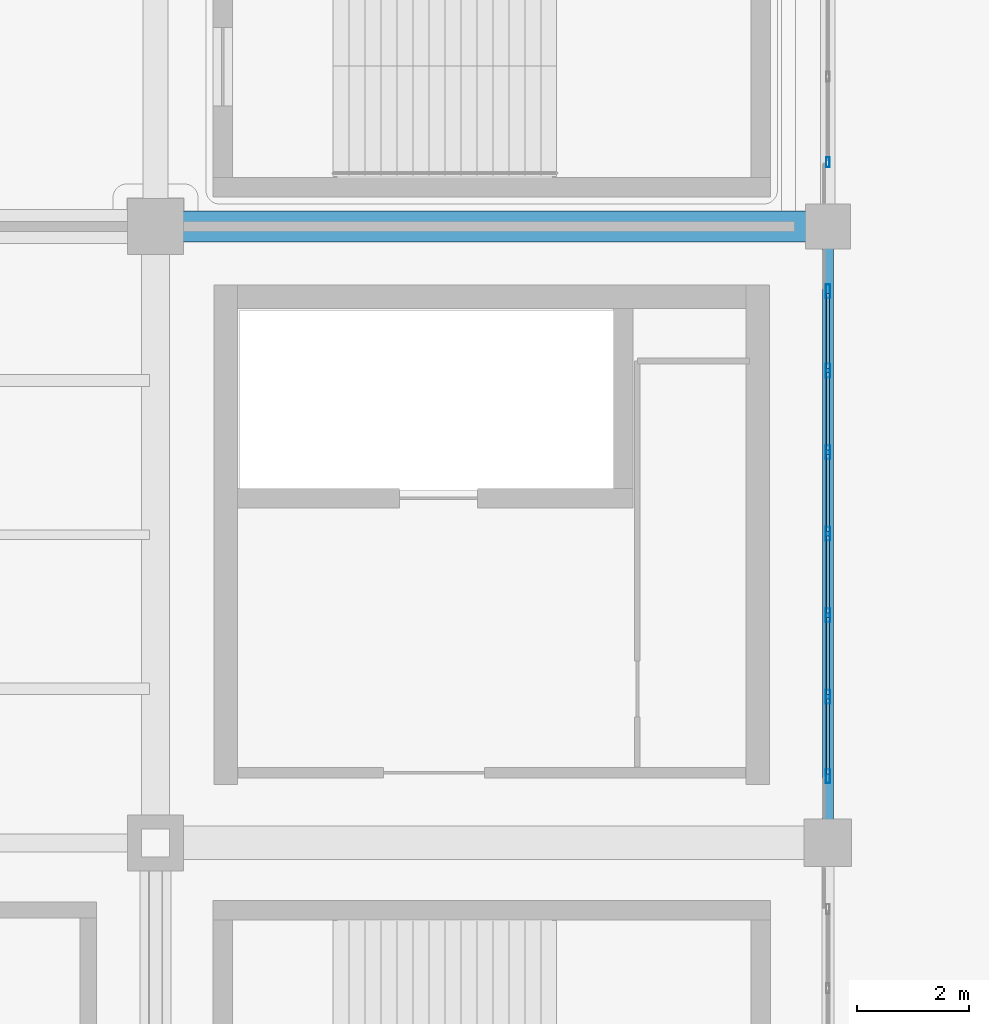
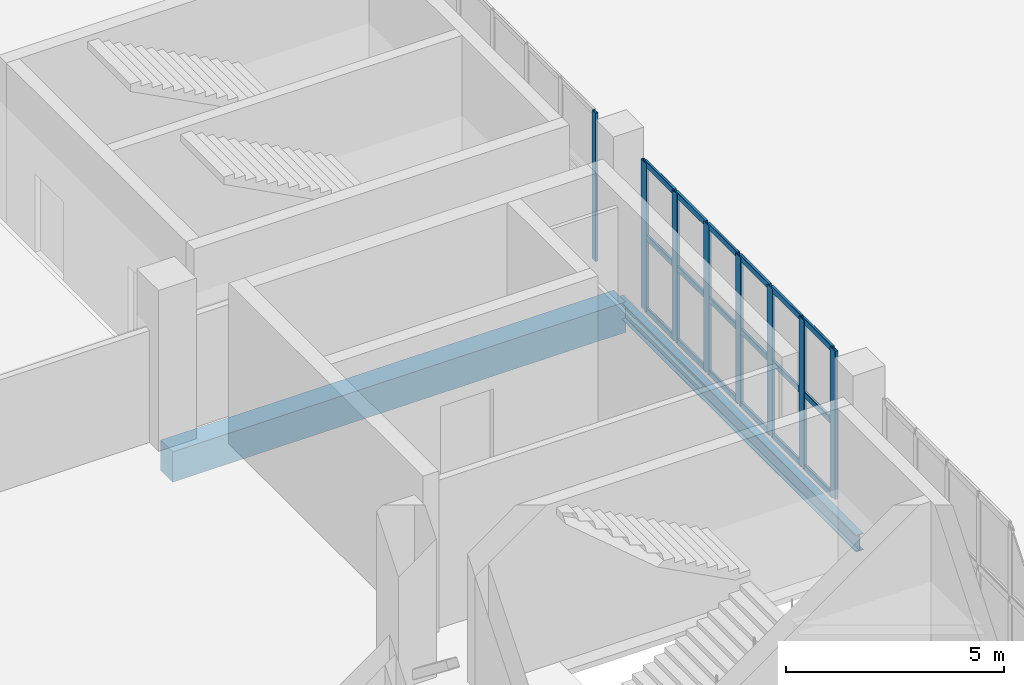
# One storey, part 52 of 108: 26 members, 2 beams, 2 elements without a shape of their own.
"""IFC4 building model written with IfcOpenShell, lengths in metres."""

from ifc_helpers import new_model, si_unit, direction, frame, origin, origin_2d, place, context, subcontext, project, spatial, rectangle, hollow_rectangle, i_section, extrude, material, layer, layer_set, material_profile, profile_set, type_object, element, aggregate, save


model = new_model("IFC4")

# Units and contexts
model_context = context("Model", 3, precision=1e-05, world=origin(), true_north=direction((0.0, 1.0)))
body_context = subcontext(model_context, "Body", "Model", "MODEL_VIEW")
ifc_project = project(units=[si_unit("LENGTHUNIT", "METRE"), si_unit("AREAUNIT", "SQUARE_METRE"), si_unit("VOLUMEUNIT", "CUBIC_METRE"), si_unit("PLANEANGLEUNIT", "RADIAN"), si_unit("MASSUNIT", "GRAM", prefix="KILO")], contexts=[model_context])

# Site, building, storey
site_placement = place(None, origin())
site = spatial("IfcSite", under=ifc_project, at=site_placement, CompositionType="ELEMENT")
building_placement = place(site_placement, origin())
building = spatial("IfcBuilding", under=site, at=building_placement, Name="Brinegate Civic Arena", CompositionType="ELEMENT")
storey_placement = place(building_placement, frame((0.0, 0.0, 10.199951171875)))
storey = spatial("IfcBuildingStorey", under=building, at=storey_placement, Name="L02", CompositionType="ELEMENT", Elevation=10.199951171875)

# Curtain wall, member
ifc_material_1 = material(Name="Marine grade aluminium", Category="aluminium")
ifc_layer = layer(ifc_material_1, 0.199951171875, Name="Marine grade aluminium")
ifc_layer_set = layer_set([ifc_layer], Name="Marine grade aluminium")
curtain_wall_type = type_object("IfcCurtainWallType", Name="CW-BOWL-GLAZED-01", PredefinedType="USERDEFINED", material=ifc_layer_set)
curtain_wall_1_placement = place(storey_placement, origin())
curtain_wall_1 = element("IfcCurtainWall", 1, at=curtain_wall_1_placement, inside=storey, type_object=curtain_wall_type, Name="Curtain Wall CWA-080", ObjectType="GLAZED CURTAIN WALL", PredefinedType="USERDEFINED")
ifc_material_profile_1 = material_profile(ifc_material_1, hollow_rectangle(XDim=0.06494140625, YDim=0.179931640625, WallThickness=0.0048828125, InnerFilletRadius=0.00390625, OuterFilletRadius=0.008056640625, at=origin_2d()), Name="MUL65X180")
ifc_profile_set_1 = profile_set([ifc_material_profile_1], Name="Marine grade aluminium")
member_type_1 = type_object("IfcMemberType", Name="CW-MULLION-65X180", PredefinedType="MULLION", material=ifc_profile_set_1)
member_1_placement = place(storey_placement, frame((168.0, 43.1484375, 0.0), z_axis=(0.0, 0.0, 1.0), x_axis=(-1.0, 0.0, 0.0)))
member_1 = element("IfcMember", 2, at=member_1_placement, type_object=member_type_1, Name="CWA-080 mullion 1", PredefinedType="MULLION", context=body_context, shape_type="SweptSolid", body=[
    extrude(hollow_rectangle(XDim=0.06494140625, YDim=0.179931640625, WallThickness=0.0048828125, InnerFilletRadius=0.00390625, OuterFilletRadius=0.008056640625, at=origin_2d()), origin(), (0.0, 0.0, 1.0), 4.150146484375),
])
aggregate(curtain_wall_1, [member_1])

# Curtain wall, members
curtain_wall_2_placement = place(storey_placement, origin())
curtain_wall_2 = element("IfcCurtainWall", 3, at=curtain_wall_2_placement, inside=storey, type_object=curtain_wall_type, Name="Curtain Wall CWA-078", ObjectType="GLAZED CURTAIN WALL", PredefinedType="USERDEFINED")
ifc_material_profile_2 = material_profile(ifc_material_1, hollow_rectangle(XDim=0.074951171875, YDim=0.25, WallThickness=0.006103515625, InnerFilletRadius=0.00390625, OuterFilletRadius=0.008056640625, at=origin_2d()), Name="MUL75X250")
ifc_profile_set_2 = profile_set([ifc_material_profile_2], Name="Marine grade aluminium")
member_type_2 = type_object("IfcMemberType", Name="CW-MULLION-75X250", PredefinedType="MULLION", material=ifc_profile_set_2)
member_2_placement = place(storey_placement, frame((168.0, 32.1884765625, 0.0), z_axis=(0.0, 0.0, 1.0), x_axis=(-1.0, 0.0, 0.0)))
member_2 = element("IfcMember", 4, at=member_2_placement, type_object=member_type_2, Name="CWA-078 mullion 1", PredefinedType="MULLION", context=body_context, shape_type="SweptSolid", body=[
    extrude(hollow_rectangle(XDim=0.074951171875, YDim=0.25, WallThickness=0.006103515625, InnerFilletRadius=0.00390625, OuterFilletRadius=0.008056640625, at=origin_2d()), origin(), (0.0, 0.0, 1.0), 4.150146484375),
])
member_3_placement = place(storey_placement, frame((168.0, 33.6064453125, 0.0), z_axis=(0.0, 0.0, 1.0), x_axis=(-1.0, 0.0, 0.0)))
member_3 = element("IfcMember", 5, at=member_3_placement, type_object=member_type_2, Name="CWA-078 mullion 2", PredefinedType="MULLION", context=body_context, shape_type="SweptSolid", body=[
    extrude(hollow_rectangle(XDim=0.074951171875, YDim=0.25, WallThickness=0.006103515625, InnerFilletRadius=0.00390625, OuterFilletRadius=0.008056640625, at=origin_2d()), origin(), (0.0, 0.0, 1.0), 4.150146484375),
])
member_4_placement = place(storey_placement, frame((168.0, 35.06201171875, 0.0), z_axis=(0.0, 0.0, 1.0), x_axis=(-1.0, 0.0, 0.0)))
member_4 = element("IfcMember", 6, at=member_4_placement, type_object=member_type_2, Name="CWA-078 mullion 3", PredefinedType="MULLION", context=body_context, shape_type="SweptSolid", body=[
    extrude(hollow_rectangle(XDim=0.074951171875, YDim=0.25, WallThickness=0.006103515625, InnerFilletRadius=0.00390625, OuterFilletRadius=0.008056640625, at=origin_2d()), origin(), (0.0, 0.0, 1.0), 4.150146484375),
])
member_5_placement = place(storey_placement, frame((168.0, 36.517578125, 0.0), z_axis=(0.0, 0.0, 1.0), x_axis=(-1.0, 0.0, 0.0)))
member_5 = element("IfcMember", 7, at=member_5_placement, type_object=member_type_2, Name="CWA-078 mullion 4", PredefinedType="MULLION", context=body_context, shape_type="SweptSolid", body=[
    extrude(hollow_rectangle(XDim=0.074951171875, YDim=0.25, WallThickness=0.006103515625, InnerFilletRadius=0.00390625, OuterFilletRadius=0.008056640625, at=origin_2d()), origin(), (0.0, 0.0, 1.0), 4.150146484375),
])
member_6_placement = place(storey_placement, frame((168.0, 37.972900390625, 0.0), z_axis=(0.0, 0.0, 1.0), x_axis=(-1.0, 0.0, 0.0)))
member_6 = element("IfcMember", 8, at=member_6_placement, type_object=member_type_2, Name="CWA-078 mullion 5", PredefinedType="MULLION", context=body_context, shape_type="SweptSolid", body=[
    extrude(hollow_rectangle(XDim=0.074951171875, YDim=0.25, WallThickness=0.006103515625, InnerFilletRadius=0.00390625, OuterFilletRadius=0.008056640625, at=origin_2d()), origin(), (0.0, 0.0, 1.0), 4.150146484375),
])
member_7_placement = place(storey_placement, frame((168.0, 39.428466796875, 0.0), z_axis=(0.0, 0.0, 1.0), x_axis=(-1.0, 0.0, 0.0)))
member_7 = element("IfcMember", 9, at=member_7_placement, type_object=member_type_2, Name="CWA-078 mullion 6", PredefinedType="MULLION", context=body_context, shape_type="SweptSolid", body=[
    extrude(hollow_rectangle(XDim=0.074951171875, YDim=0.25, WallThickness=0.006103515625, InnerFilletRadius=0.00390625, OuterFilletRadius=0.008056640625, at=origin_2d()), origin(), (0.0, 0.0, 1.0), 4.150146484375),
])
member_8_placement = place(storey_placement, frame((168.0, 40.846435546875, 0.0), z_axis=(0.0, 0.0, 1.0), x_axis=(-1.0, 0.0, 0.0)))
member_8 = element("IfcMember", 10, at=member_8_placement, type_object=member_type_2, Name="CWA-078 mullion 7", PredefinedType="MULLION", context=body_context, shape_type="SweptSolid", body=[
    extrude(hollow_rectangle(XDim=0.074951171875, YDim=0.25, WallThickness=0.006103515625, InnerFilletRadius=0.00390625, OuterFilletRadius=0.008056640625, at=origin_2d()), origin(), (0.0, 0.0, 1.0), 4.150146484375),
])
ifc_material_profile_3 = material_profile(ifc_material_1, hollow_rectangle(XDim=0.06494140625, YDim=0.1650390625, WallThickness=0.0048828125, InnerFilletRadius=0.00390625, OuterFilletRadius=0.008056640625, at=origin_2d()), Name="TRN65X165")
ifc_profile_set_3 = profile_set([ifc_material_profile_3], Name="Marine grade aluminium")
member_type_3 = type_object("IfcMemberType", Name="CW-TRANSOM-65X165", PredefinedType="USERDEFINED", material=ifc_profile_set_3)
member_9_placement = place(storey_placement, frame((168.0, 32.22607421875, 0.032470703125), z_axis=(0.0, 1.0, 0.0), x_axis=(-1.0, 0.0, 0.0)))
member_9 = element("IfcMember", 11, at=member_9_placement, type_object=member_type_3, Name="CWA-078 transom 1.1", ObjectType="TRANSOM", PredefinedType="USERDEFINED", context=body_context, shape_type="SweptSolid", body=[
    extrude(hollow_rectangle(XDim=0.06494140625, YDim=0.1650390625, WallThickness=0.0048828125, InnerFilletRadius=0.00390625, OuterFilletRadius=0.008056640625, at=origin_2d()), origin(), (0.0, 0.0, 1.0), 1.343017578125),
])
member_10_placement = place(storey_placement, frame((168.0, 32.22607421875, 2.074951171875), z_axis=(0.0, 1.0, 0.0), x_axis=(-1.0, 0.0, 0.0)))
member_10 = element("IfcMember", 12, at=member_10_placement, type_object=member_type_3, Name="CWA-078 transom 1.2", ObjectType="TRANSOM", PredefinedType="USERDEFINED", context=body_context, shape_type="SweptSolid", body=[
    extrude(hollow_rectangle(XDim=0.06494140625, YDim=0.1650390625, WallThickness=0.0048828125, InnerFilletRadius=0.00390625, OuterFilletRadius=0.008056640625, at=origin_2d()), origin(), (0.0, 0.0, 1.0), 1.343017578125),
])
member_11_placement = place(storey_placement, frame((168.0, 32.22607421875, 4.117431640625), z_axis=(0.0, 1.0, 0.0), x_axis=(-1.0, 0.0, 0.0)))
member_11 = element("IfcMember", 13, at=member_11_placement, type_object=member_type_3, Name="CWA-078 transom 1.3", ObjectType="TRANSOM", PredefinedType="USERDEFINED", context=body_context, shape_type="SweptSolid", body=[
    extrude(hollow_rectangle(XDim=0.06494140625, YDim=0.1650390625, WallThickness=0.0048828125, InnerFilletRadius=0.00390625, OuterFilletRadius=0.008056640625, at=origin_2d()), origin(), (0.0, 0.0, 1.0), 1.343017578125),
])
member_12_placement = place(storey_placement, frame((168.0, 33.64404296875, 0.032470703125), z_axis=(0.0, 1.0, 0.0), x_axis=(-1.0, 0.0, 0.0)))
member_12 = element("IfcMember", 14, at=member_12_placement, type_object=member_type_3, Name="CWA-078 transom 2.1", ObjectType="TRANSOM", PredefinedType="USERDEFINED", context=body_context, shape_type="SweptSolid", body=[
    extrude(hollow_rectangle(XDim=0.06494140625, YDim=0.1650390625, WallThickness=0.0048828125, InnerFilletRadius=0.00390625, OuterFilletRadius=0.008056640625, at=origin_2d()), origin(), (0.0, 0.0, 1.0), 1.38037109375),
])
member_13_placement = place(storey_placement, frame((168.0, 33.64404296875, 2.074951171875), z_axis=(0.0, 1.0, 0.0), x_axis=(-1.0, 0.0, 0.0)))
member_13 = element("IfcMember", 15, at=member_13_placement, type_object=member_type_3, Name="CWA-078 transom 2.2", ObjectType="TRANSOM", PredefinedType="USERDEFINED", context=body_context, shape_type="SweptSolid", body=[
    extrude(hollow_rectangle(XDim=0.06494140625, YDim=0.1650390625, WallThickness=0.0048828125, InnerFilletRadius=0.00390625, OuterFilletRadius=0.008056640625, at=origin_2d()), origin(), (0.0, 0.0, 1.0), 1.38037109375),
])
member_14_placement = place(storey_placement, frame((168.0, 33.64404296875, 4.117431640625), z_axis=(0.0, 1.0, 0.0), x_axis=(-1.0, 0.0, 0.0)))
member_14 = element("IfcMember", 16, at=member_14_placement, type_object=member_type_3, Name="CWA-078 transom 2.3", ObjectType="TRANSOM", PredefinedType="USERDEFINED", context=body_context, shape_type="SweptSolid", body=[
    extrude(hollow_rectangle(XDim=0.06494140625, YDim=0.1650390625, WallThickness=0.0048828125, InnerFilletRadius=0.00390625, OuterFilletRadius=0.008056640625, at=origin_2d()), origin(), (0.0, 0.0, 1.0), 1.38037109375),
])
member_15_placement = place(storey_placement, frame((168.0, 35.099609375, 0.032470703125), z_axis=(0.0, 1.0, 0.0), x_axis=(-1.0, 0.0, 0.0)))
member_15 = element("IfcMember", 17, at=member_15_placement, type_object=member_type_3, Name="CWA-078 transom 3.1", ObjectType="TRANSOM", PredefinedType="USERDEFINED", context=body_context, shape_type="SweptSolid", body=[
    extrude(hollow_rectangle(XDim=0.06494140625, YDim=0.1650390625, WallThickness=0.0048828125, InnerFilletRadius=0.00390625, OuterFilletRadius=0.008056640625, at=origin_2d()), origin(), (0.0, 0.0, 1.0), 1.38037109375),
])
member_16_placement = place(storey_placement, frame((168.0, 35.099609375, 2.074951171875), z_axis=(0.0, 1.0, 0.0), x_axis=(-1.0, 0.0, 0.0)))
member_16 = element("IfcMember", 18, at=member_16_placement, type_object=member_type_3, Name="CWA-078 transom 3.2", ObjectType="TRANSOM", PredefinedType="USERDEFINED", context=body_context, shape_type="SweptSolid", body=[
    extrude(hollow_rectangle(XDim=0.06494140625, YDim=0.1650390625, WallThickness=0.0048828125, InnerFilletRadius=0.00390625, OuterFilletRadius=0.008056640625, at=origin_2d()), origin(), (0.0, 0.0, 1.0), 1.38037109375),
])
member_17_placement = place(storey_placement, frame((168.0, 35.099609375, 4.117431640625), z_axis=(0.0, 1.0, 0.0), x_axis=(-1.0, 0.0, 0.0)))
member_17 = element("IfcMember", 19, at=member_17_placement, type_object=member_type_3, Name="CWA-078 transom 3.3", ObjectType="TRANSOM", PredefinedType="USERDEFINED", context=body_context, shape_type="SweptSolid", body=[
    extrude(hollow_rectangle(XDim=0.06494140625, YDim=0.1650390625, WallThickness=0.0048828125, InnerFilletRadius=0.00390625, OuterFilletRadius=0.008056640625, at=origin_2d()), origin(), (0.0, 0.0, 1.0), 1.38037109375),
])
member_18_placement = place(storey_placement, frame((168.0, 36.554931640625, 0.032470703125), z_axis=(0.0, 1.0, 0.0), x_axis=(-1.0, 0.0, 0.0)))
member_18 = element("IfcMember", 20, at=member_18_placement, type_object=member_type_3, Name="CWA-078 transom 4.1", ObjectType="TRANSOM", PredefinedType="USERDEFINED", context=body_context, shape_type="SweptSolid", body=[
    extrude(hollow_rectangle(XDim=0.06494140625, YDim=0.1650390625, WallThickness=0.0048828125, InnerFilletRadius=0.00390625, OuterFilletRadius=0.008056640625, at=origin_2d()), origin(), (0.0, 0.0, 1.0), 1.380615234375),
])
member_19_placement = place(storey_placement, frame((168.0, 36.554931640625, 2.074951171875), z_axis=(0.0, 1.0, 0.0), x_axis=(-1.0, 0.0, 0.0)))
member_19 = element("IfcMember", 21, at=member_19_placement, type_object=member_type_3, Name="CWA-078 transom 4.2", ObjectType="TRANSOM", PredefinedType="USERDEFINED", context=body_context, shape_type="SweptSolid", body=[
    extrude(hollow_rectangle(XDim=0.06494140625, YDim=0.1650390625, WallThickness=0.0048828125, InnerFilletRadius=0.00390625, OuterFilletRadius=0.008056640625, at=origin_2d()), origin(), (0.0, 0.0, 1.0), 1.380615234375),
])
member_20_placement = place(storey_placement, frame((168.0, 36.554931640625, 4.117431640625), z_axis=(0.0, 1.0, 0.0), x_axis=(-1.0, 0.0, 0.0)))
member_20 = element("IfcMember", 22, at=member_20_placement, type_object=member_type_3, Name="CWA-078 transom 4.3", ObjectType="TRANSOM", PredefinedType="USERDEFINED", context=body_context, shape_type="SweptSolid", body=[
    extrude(hollow_rectangle(XDim=0.06494140625, YDim=0.1650390625, WallThickness=0.0048828125, InnerFilletRadius=0.00390625, OuterFilletRadius=0.008056640625, at=origin_2d()), origin(), (0.0, 0.0, 1.0), 1.380615234375),
])
member_21_placement = place(storey_placement, frame((168.0, 38.010498046875, 0.032470703125), z_axis=(0.0, 1.0, 0.0), x_axis=(-1.0, 0.0, 0.0)))
member_21 = element("IfcMember", 23, at=member_21_placement, type_object=member_type_3, Name="CWA-078 transom 5.1", ObjectType="TRANSOM", PredefinedType="USERDEFINED", context=body_context, shape_type="SweptSolid", body=[
    extrude(hollow_rectangle(XDim=0.06494140625, YDim=0.1650390625, WallThickness=0.0048828125, InnerFilletRadius=0.00390625, OuterFilletRadius=0.008056640625, at=origin_2d()), origin(), (0.0, 0.0, 1.0), 1.380615234375),
])
member_22_placement = place(storey_placement, frame((168.0, 38.010498046875, 2.074951171875), z_axis=(0.0, 1.0, 0.0), x_axis=(-1.0, 0.0, 0.0)))
member_22 = element("IfcMember", 24, at=member_22_placement, type_object=member_type_3, Name="CWA-078 transom 5.2", ObjectType="TRANSOM", PredefinedType="USERDEFINED", context=body_context, shape_type="SweptSolid", body=[
    extrude(hollow_rectangle(XDim=0.06494140625, YDim=0.1650390625, WallThickness=0.0048828125, InnerFilletRadius=0.00390625, OuterFilletRadius=0.008056640625, at=origin_2d()), origin(), (0.0, 0.0, 1.0), 1.380615234375),
])
member_23_placement = place(storey_placement, frame((168.0, 38.010498046875, 4.117431640625), z_axis=(0.0, 1.0, 0.0), x_axis=(-1.0, 0.0, 0.0)))
member_23 = element("IfcMember", 25, at=member_23_placement, type_object=member_type_3, Name="CWA-078 transom 5.3", ObjectType="TRANSOM", PredefinedType="USERDEFINED", context=body_context, shape_type="SweptSolid", body=[
    extrude(hollow_rectangle(XDim=0.06494140625, YDim=0.1650390625, WallThickness=0.0048828125, InnerFilletRadius=0.00390625, OuterFilletRadius=0.008056640625, at=origin_2d()), origin(), (0.0, 0.0, 1.0), 1.380615234375),
])
member_24_placement = place(storey_placement, frame((168.0, 39.466064453125, 0.032470703125), z_axis=(0.0, 1.0, 0.0), x_axis=(-1.0, 0.0, 0.0)))
member_24 = element("IfcMember", 26, at=member_24_placement, type_object=member_type_3, Name="CWA-078 transom 6.1", ObjectType="TRANSOM", PredefinedType="USERDEFINED", context=body_context, shape_type="SweptSolid", body=[
    extrude(hollow_rectangle(XDim=0.06494140625, YDim=0.1650390625, WallThickness=0.0048828125, InnerFilletRadius=0.00390625, OuterFilletRadius=0.008056640625, at=origin_2d()), origin(), (0.0, 0.0, 1.0), 1.343017578125),
])
member_25_placement = place(storey_placement, frame((168.0, 39.466064453125, 2.074951171875), z_axis=(0.0, 1.0, 0.0), x_axis=(-1.0, 0.0, 0.0)))
member_25 = element("IfcMember", 27, at=member_25_placement, type_object=member_type_3, Name="CWA-078 transom 6.2", ObjectType="TRANSOM", PredefinedType="USERDEFINED", context=body_context, shape_type="SweptSolid", body=[
    extrude(hollow_rectangle(XDim=0.06494140625, YDim=0.1650390625, WallThickness=0.0048828125, InnerFilletRadius=0.00390625, OuterFilletRadius=0.008056640625, at=origin_2d()), origin(), (0.0, 0.0, 1.0), 1.343017578125),
])
member_26_placement = place(storey_placement, frame((168.0, 39.466064453125, 4.117431640625), z_axis=(0.0, 1.0, 0.0), x_axis=(-1.0, 0.0, 0.0)))
member_26 = element("IfcMember", 28, at=member_26_placement, type_object=member_type_3, Name="CWA-078 transom 6.3", ObjectType="TRANSOM", PredefinedType="USERDEFINED", context=body_context, shape_type="SweptSolid", body=[
    extrude(hollow_rectangle(XDim=0.06494140625, YDim=0.1650390625, WallThickness=0.0048828125, InnerFilletRadius=0.00390625, OuterFilletRadius=0.008056640625, at=origin_2d()), origin(), (0.0, 0.0, 1.0), 1.343017578125),
])
aggregate(curtain_wall_2, [member_2, member_3, member_4, member_5, member_6, member_7, member_8, member_9, member_10, member_11, member_12, member_13, member_14, member_15, member_16, member_17, member_18, member_19, member_20, member_21, member_22, member_23, member_24, member_25, member_26])

# Beams
ifc_material_2 = material(Name="Concrete C50/60", Category="concrete")
ifc_material_profile_4 = material_profile(ifc_material_2, rectangle(XDim=0.550048828125, YDim=0.85009765625, at=origin_2d()), Name="RCB550X850")
ifc_profile_set_4 = profile_set([ifc_material_profile_4], Name="Concrete C50/60")
beam_type_1 = type_object("IfcBeamType", Name="RCG-550X850", PredefinedType="BEAM", material=ifc_profile_set_4)
beam_1_placement = place(storey_placement, frame((156.0, 42.0, -0.7548828125), z_axis=(1.0, 0.0, 0.0), x_axis=(0.0, 1.0, 0.0)))
element("IfcBeam", 29, at=beam_1_placement, inside=storey, type_object=beam_type_1, Name="Floor Girder BM-L02-GX-13-04", PredefinedType="BEAM", context=body_context, shape_type="SweptSolid", body=[
    extrude(rectangle(XDim=0.550048828125, YDim=0.85009765625, at=origin_2d()), origin(), (0.0, 0.0, 1.0), 12.0),
])
ifc_material_3 = material(Name="Steel S355", Category="steel")
ifc_material_profile_5 = material_profile(ifc_material_3, i_section(OverallWidth=0.193115234375, OverallDepth=0.466064453125, WebThickness=0.010986328125, FlangeThickness=0.01904296875, FilletRadius=0.014892578125, at=origin_2d()), Name="W460X97")
ifc_profile_set_5 = profile_set([ifc_material_profile_5], Name="Steel S355")
beam_type_2 = type_object("IfcBeamType", Name="SPANDREL-W460X97", PredefinedType="SPANDREL", material=ifc_profile_set_5)
beam_2_placement = place(storey_placement, frame((168.0, 31.0, -0.56298828125), z_axis=(0.0, 1.0, 0.0), x_axis=(-1.0, 0.0, 0.0)))
element("IfcBeam", 30, at=beam_2_placement, inside=storey, type_object=beam_type_2, Name="Floor Girder BM-L02-GY-14-03", PredefinedType="SPANDREL", context=body_context, shape_type="SweptSolid", body=[
    extrude(i_section(OverallWidth=0.193115234375, OverallDepth=0.466064453125, WebThickness=0.010986328125, FlangeThickness=0.01904296875, FilletRadius=0.014892578125, at=origin_2d()), origin(), (0.0, 0.0, 1.0), 11.0),
])

save(model, "model.ifc")
